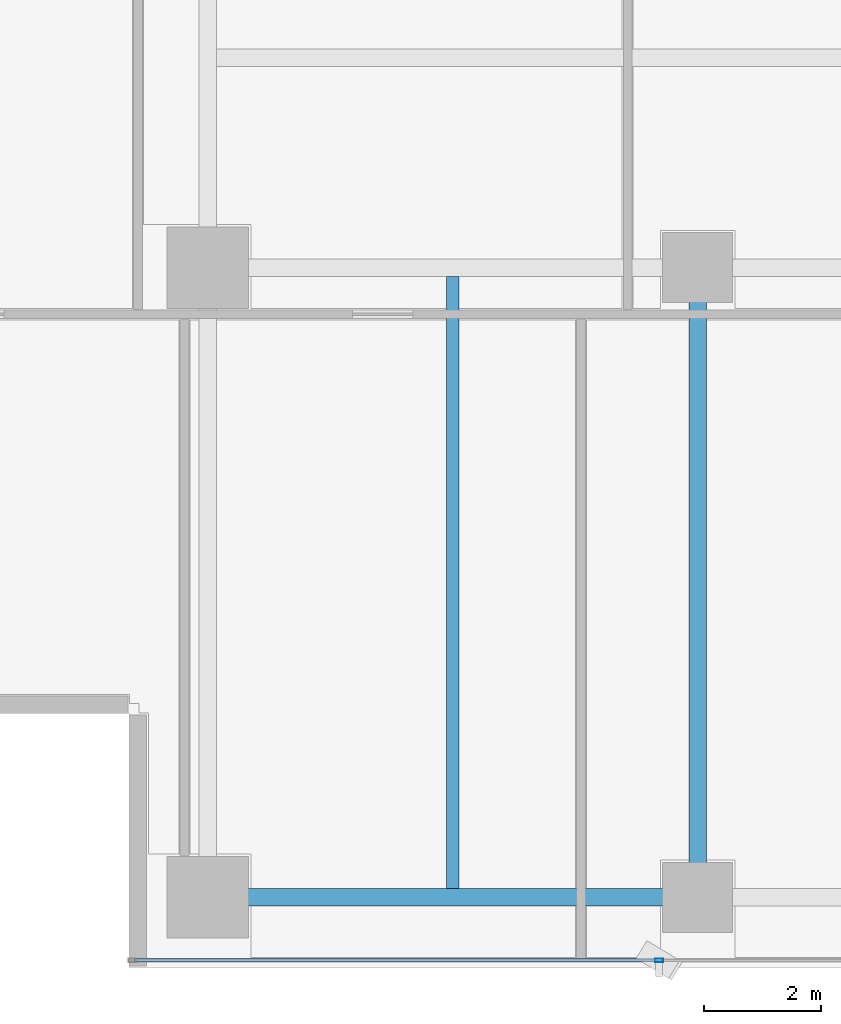
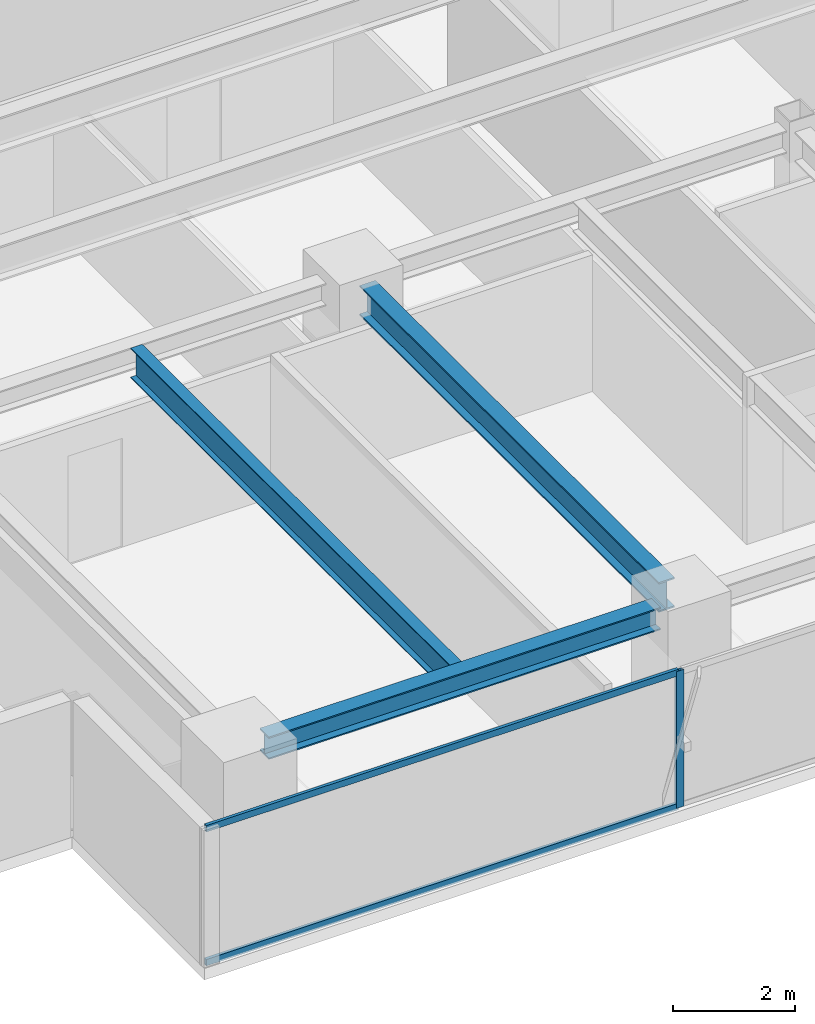
# One storey, part 3 of 26: 3 beams, 3 members, 1 element without a shape of its own.
"""IFC4 building model written with IfcOpenShell, lengths in metres."""

from ifc_helpers import new_model, si_unit, direction, frame, origin, origin_2d, place, context, subcontext, project, spatial, hollow_rectangle, i_section, extrude, source, transform, mapped, material, layer, layer_set, material_profile, profile_set, type_object, element, aggregate, save


model = new_model("IFC4")

# Units and contexts
model_context = context("Model", 3, precision=1e-05, world=origin(), true_north=direction((0.0, 1.0)))
body_context = subcontext(model_context, "Body", "Model", "MODEL_VIEW")
ifc_project = project(units=[si_unit("LENGTHUNIT", "METRE"), si_unit("AREAUNIT", "SQUARE_METRE"), si_unit("VOLUMEUNIT", "CUBIC_METRE"), si_unit("PLANEANGLEUNIT", "RADIAN"), si_unit("MASSUNIT", "GRAM", prefix="KILO")], contexts=[model_context])

# Site, building, storey
site_placement = place(None, origin())
site = spatial("IfcSite", under=ifc_project, at=site_placement, CompositionType="ELEMENT")
building_placement = place(site_placement, origin())
building = spatial("IfcBuilding", under=site, at=building_placement, Name="Sumidabori Civic Tower", CompositionType="ELEMENT")
storey_placement = place(building_placement, frame((0.0, 0.0, 243.199951171875)))
storey = spatial("IfcBuildingStorey", under=building, at=storey_placement, Name="L63", CompositionType="ELEMENT", Elevation=243.199951171875)

# Beams
ifc_material_1 = material(Name="Steel SN490", Category="steel")
ifc_material_profile_1 = material_profile(ifc_material_1, i_section(OverallWidth=0.300048828125, OverallDepth=0.60009765625, WebThickness=0.015380859375, FlangeThickness=0.030029296875, at=origin_2d()), Name="HE 600 B")
ifc_profile_set_1 = profile_set([ifc_material_profile_1], Name="Steel SN490")
beam_type_1 = type_object("IfcBeamType", Name="BM-GIRD-600", PredefinedType="BEAM", material=ifc_profile_set_1)
shared_shape_1 = source(origin(), body_context, "Body", "SweptSolid", [
    extrude(i_section(OverallWidth=0.300048828125, OverallDepth=0.60009765625, WebThickness=0.015380859375, FlangeThickness=0.030029296875, at=origin_2d()), origin(), (0.0, 0.0, 1.0), 9.840087890625),
])
beam_1_placement = place(storey_placement, frame((-8.39990234375, -10.320068359375, 3.070068359375), z_axis=(0.0, 1.0, 0.0), x_axis=(-1.0, 0.0, 0.0)))
element("IfcBeam", 1, at=beam_1_placement, inside=storey, type_object=beam_type_1, Name="Primary Girder L63 GY-12", PredefinedType="BEAM", context=body_context, shape_type="MappedRepresentation", body=[
    mapped(shared_shape_1, transform((0.0, 0.0, 0.0), x_axis=(1.0, 0.0, 0.0), y_axis=(0.0, 1.0, 0.0), z_axis=(0.0, 0.0, 1.0), scale=1.0)),
])
ifc_material_profile_2 = material_profile(ifc_material_1, i_section(OverallWidth=0.300048828125, OverallDepth=0.449951171875, WebThickness=0.013916015625, FlangeThickness=0.02587890625, at=origin_2d()), Name="HE 450 B")
ifc_profile_set_2 = profile_set([ifc_material_profile_2], Name="Steel SN490")
beam_type_2 = type_object("IfcBeamType", Name="BM-GIRD-450", PredefinedType="BEAM", material=ifc_profile_set_2)
shared_shape_2 = source(origin(), body_context, "Body", "SweptSolid", [
    extrude(i_section(OverallWidth=0.300048828125, OverallDepth=0.449951171875, WebThickness=0.013916015625, FlangeThickness=0.02587890625, at=origin_2d()), origin(), (0.0, 0.0, 1.0), 7.440185546875),
])
beam_2_placement = place(storey_placement, frame((-16.320068359375, -10.800048828125, 3.14501953125), z_axis=(1.0, 0.0, 0.0), x_axis=(0.0, 1.0, 0.0)))
element("IfcBeam", 2, at=beam_2_placement, inside=storey, type_object=beam_type_2, Name="Primary Girder L63 GX-01", PredefinedType="BEAM", context=body_context, shape_type="MappedRepresentation", body=[
    mapped(shared_shape_2, transform((0.0, 0.0, 0.0), x_axis=(1.0, 0.0, 0.0), y_axis=(0.0, 1.0, 0.0), z_axis=(0.0, 0.0, 1.0), scale=1.0)),
])
ifc_material_profile_3 = material_profile(ifc_material_1, i_section(OverallWidth=0.219970703125, OverallDepth=0.60009765625, WebThickness=0.011962890625, FlangeThickness=0.01904296875, at=origin_2d()), Name="IPE 600")
ifc_profile_set_3 = profile_set([ifc_material_profile_3], Name="Steel SN490")
beam_type_3 = type_object("IfcBeamType", Name="BM-JST-600", PredefinedType="JOIST", material=ifc_profile_set_3)
shared_shape_3 = source(origin(), body_context, "Body", "SweptSolid", [
    extrude(i_section(OverallWidth=0.219970703125, OverallDepth=0.60009765625, WebThickness=0.011962890625, FlangeThickness=0.01904296875, at=origin_2d()), origin(), (0.0, 0.0, 1.0), 10.5),
])
beam_3_placement = place(storey_placement, frame((-12.60009765625, -10.64990234375, 3.070068359375), z_axis=(0.0, 1.0, 0.0), x_axis=(-1.0, 0.0, 0.0)))
element("IfcBeam", 3, at=beam_3_placement, inside=storey, type_object=beam_type_3, Name="Upper Lens N-S Floor Joist L63 JSTV-20", PredefinedType="JOIST", context=body_context, shape_type="MappedRepresentation", body=[
    mapped(shared_shape_3, transform((0.0, 0.0, 0.0), x_axis=(1.0, 0.0, 0.0), y_axis=(0.0, 1.0, 0.0), z_axis=(0.0, 0.0, 1.0), scale=1.0)),
])

# Curtain wall, members
ifc_material_2 = material(Name="Anodised Bronze Aluminium AW-6063-T6", Category="aluminium")
ifc_layer = layer(ifc_material_2, 0.179931640625, Name="Anodised Bronze Aluminium AW-6063-T6")
ifc_layer_set = layer_set([ifc_layer], Name="Anodised Bronze Aluminium AW-6063-T6")
curtain_wall_type = type_object("IfcCurtainWallType", Name="CW-SYS-5", PredefinedType="NOTDEFINED", material=ifc_layer_set)
curtain_wall_placement = place(storey_placement, origin())
curtain_wall = element("IfcCurtainWall", 4, at=curtain_wall_placement, inside=storey, type_object=curtain_wall_type, Name="Curtain Wall CW:L63:R01", PredefinedType="NOTDEFINED")
ifc_material_profile_4 = material_profile(ifc_material_2, hollow_rectangle(XDim=0.06005859375, YDim=0.139892578125, WallThickness=0.0048828125, at=origin_2d()), Name="ALU MULLION 140x60")
ifc_profile_set_4 = profile_set([ifc_material_profile_4], Name="Anodised Bronze Aluminium AW-6063-T6")
member_type_1 = type_object("IfcMemberType", Name="CW-MUL-140", PredefinedType="MULLION", material=ifc_profile_set_4)
shared_shape_4 = source(origin(), body_context, "Body", "SweptSolid", [
    extrude(hollow_rectangle(XDim=0.06005859375, YDim=0.139892578125, WallThickness=0.0048828125, at=origin_2d()), origin(), (0.0, 0.0, 1.0), 2.75),
])
member_1_placement = place(storey_placement, frame((-9.06005859375, -11.8798828125, 0.0), z_axis=(0.0, 0.0, 1.0), x_axis=(0.0, 1.0, 0.0)))
member_1 = element("IfcMember", 5, at=member_1_placement, type_object=member_type_1, Name="CW-5 mullion 2", PredefinedType="MULLION", context=body_context, shape_type="MappedRepresentation", body=[
    mapped(shared_shape_4, transform((0.0, 0.0, 0.0), x_axis=(1.0, 0.0, 0.0), y_axis=(0.0, 1.0, 0.0), z_axis=(0.0, 0.0, 1.0), scale=1.0)),
])
ifc_material_profile_5 = material_profile(ifc_material_2, hollow_rectangle(XDim=0.06005859375, YDim=0.1298828125, WallThickness=0.0048828125, at=origin_2d()), Name="ALU TRANSOM 130x60")
ifc_profile_set_5 = profile_set([ifc_material_profile_5], Name="Anodised Bronze Aluminium AW-6063-T6")
member_type_2 = type_object("IfcMemberType", Name="CW-TRN-130", PredefinedType="USERDEFINED", material=ifc_profile_set_5)
shared_shape_5 = source(origin(), body_context, "Body", "SweptSolid", [
    extrude(hollow_rectangle(XDim=0.06005859375, YDim=0.1298828125, WallThickness=0.0048828125, at=origin_2d()), origin(), (0.0, 0.0, 1.0), 8.969970703125),
])
member_2_placement = place(storey_placement, frame((-18.06005859375, -11.8798828125, 0.030029296875), z_axis=(1.0, 0.0, 0.0), x_axis=(0.0, 1.0, 0.0)))
member_2 = element("IfcMember", 6, at=member_2_placement, type_object=member_type_2, Name="CW-5 transom 1.1", ObjectType="TRANSOM", PredefinedType="USERDEFINED", context=body_context, shape_type="MappedRepresentation", body=[
    mapped(shared_shape_5, transform((0.0, 0.0, 0.0), x_axis=(1.0, 0.0, 0.0), y_axis=(0.0, 1.0, 0.0), z_axis=(0.0, 0.0, 1.0), scale=1.0)),
])
member_3_placement = place(storey_placement, frame((-18.06005859375, -11.8798828125, 2.719970703125), z_axis=(1.0, 0.0, 0.0), x_axis=(0.0, 1.0, 0.0)))
member_3 = element("IfcMember", 7, at=member_3_placement, type_object=member_type_2, Name="CW-5 transom 1.2", ObjectType="TRANSOM", PredefinedType="USERDEFINED", context=body_context, shape_type="MappedRepresentation", body=[
    mapped(shared_shape_5, transform((0.0, 0.0, 0.0), x_axis=(1.0, 0.0, 0.0), y_axis=(0.0, 1.0, 0.0), z_axis=(0.0, 0.0, 1.0), scale=1.0)),
])
aggregate(curtain_wall, [member_1, member_2, member_3])

save(model, "model.ifc")
